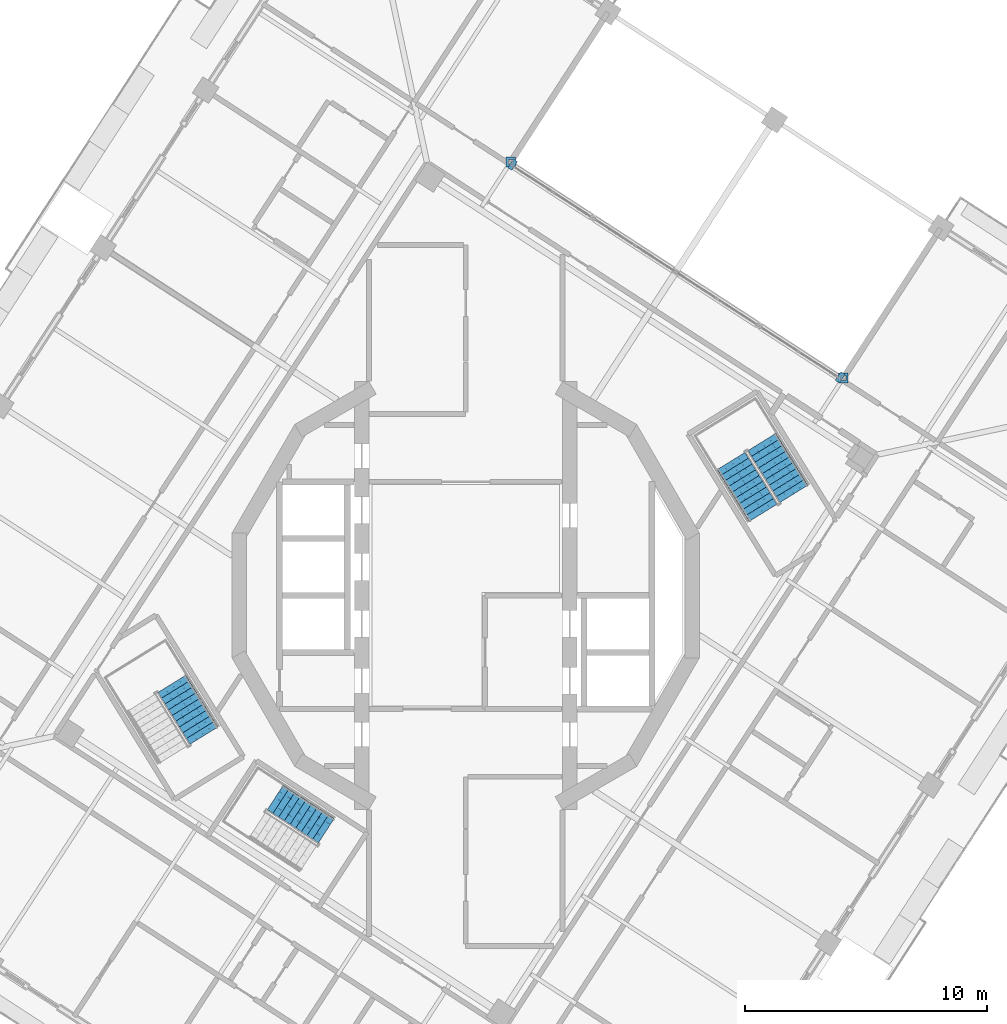
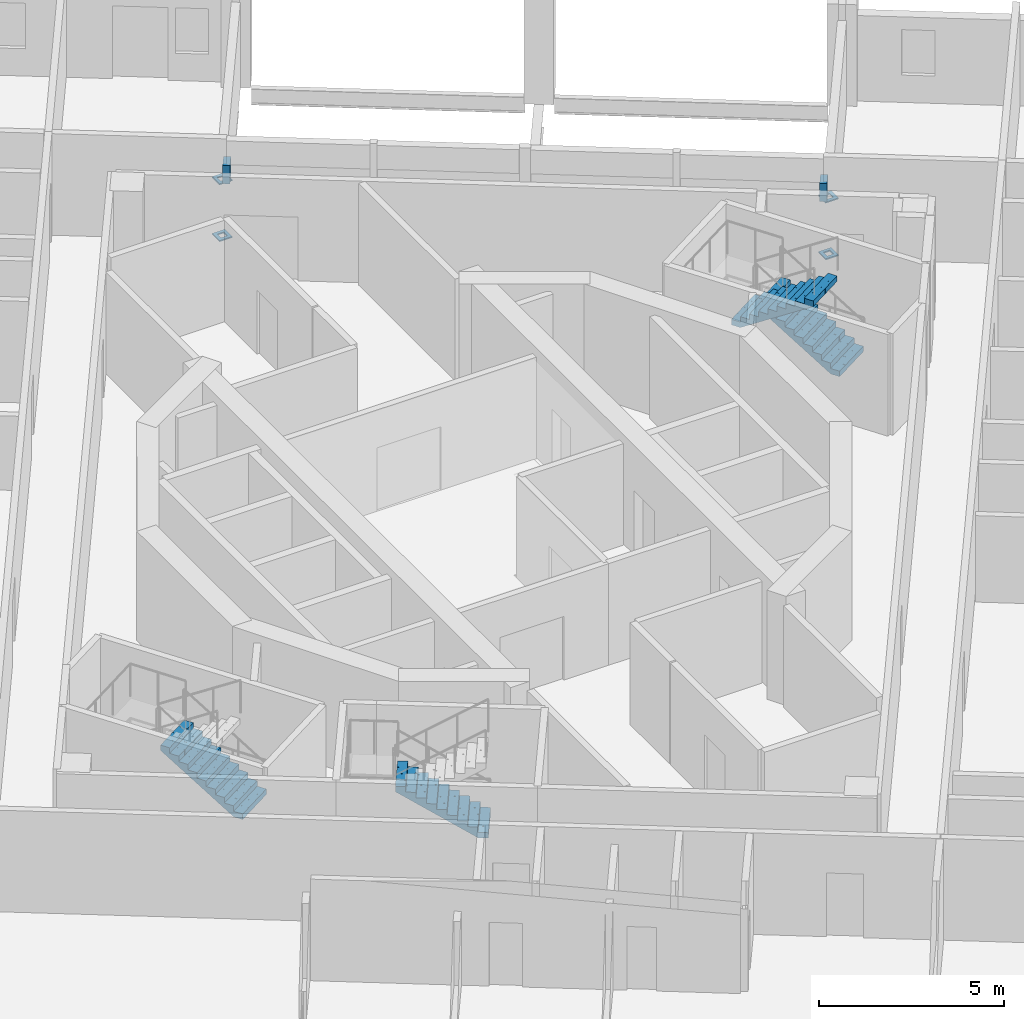
# One storey, part 12 of 17: 6 discrete accessories, 4 stair flights, 3 elements without a shape of their own.
"""IFC4 building model written with IfcOpenShell, lengths in metres."""

from ifc_helpers import new_model, si_unit, direction, frame, origin, place, context, subcontext, project, spatial, polyline, outline, extrude, material, layer, layer_set, type_object, element, aggregate, save


model = new_model("IFC4")

# Units and contexts
model_context = context("Model", 3, precision=1e-05, world=origin(), true_north=direction((0.0, 1.0)))
body_context = subcontext(model_context, "Body", "Model", "MODEL_VIEW")
ifc_project = project(units=[si_unit("LENGTHUNIT", "METRE"), si_unit("AREAUNIT", "SQUARE_METRE"), si_unit("VOLUMEUNIT", "CUBIC_METRE"), si_unit("PLANEANGLEUNIT", "RADIAN"), si_unit("MASSUNIT", "GRAM", prefix="KILO")], contexts=[model_context])

# Site, building, storey
site_placement = place(None, origin())
site = spatial("IfcSite", under=ifc_project, at=site_placement, CompositionType="ELEMENT")
building_placement = place(site_placement, origin())
building = spatial("IfcBuilding", under=site, at=building_placement, Name="Cantera Rosa Tower", CompositionType="ELEMENT")
storey_placement = place(building_placement, frame((0.0, 0.0, 279.300048828125)))
storey = spatial("IfcBuildingStorey", under=building, at=storey_placement, Name="L63", CompositionType="ELEMENT", Elevation=279.300048828125)

# Stair, stair flight
ifc_material_1 = material(Name="Concrete C35/45", Category="concrete")
stair_type_1 = type_object("IfcStairType", Name="EXIT STAIR 1200 DOGLEG", PredefinedType="HALF_TURN_STAIR", material=ifc_material_1)
stair_1_placement = place(storey_placement, origin())
stair_1 = element("IfcStair", 1, at=stair_1_placement, inside=storey, type_object=stair_type_1, Name="L63 ST-53", PredefinedType="HALF_TURN_STAIR")
ifc_material_2 = material(Name="Concrete C35/45", Category="concrete")
stair_flight_type_1 = type_object("IfcStairFlightType", Name="STAIR FLIGHT 1200 R20x180", PredefinedType="STRAIGHT", material=ifc_material_2)
stair_flight_1_placement = place(storey_placement, frame((-5.76318359375, -9.728271484375, 0.0), z_axis=(0.0, 0.0, 1.0), x_axis=(-0.838670567945, 0.544639035015, 0.0)))
stair_flight_1 = element("IfcStairFlight", 2, at=stair_flight_1_placement, type_object=stair_flight_type_1, Name="ST-53 flight 1", NumberOfRisers=10, NumberOfTreads=9, PredefinedType="STRAIGHT", RiserHeight=0.18, TreadLength=0.28, context=body_context, shape_type="SweptSolid", body=[
    extrude(outline(polyline([(0.0, 0.0), (0.0, 0.179931640625), (0.280029296875, 0.179931640625), (0.280029296875, 0.360107421875), (0.56005859375, 0.360107421875), (0.56005859375, 0.5400390625), (0.840087890625, 0.5400390625), (0.840087890625, 0.719970703125), (1.1201171875, 0.719970703125), (1.1201171875, 0.89990234375), (1.39990234375, 0.89990234375), (1.39990234375, 1.080078125), (1.679931640625, 1.080078125), (1.679931640625, 1.260009765625), (1.9599609375, 1.260009765625), (1.9599609375, 1.43994140625), (2.239990234375, 1.43994140625), (2.239990234375, 1.6201171875), (2.52001953125, 1.6201171875), (2.52001953125, 1.800048828125), (2.52001953125, 1.44189453125), (0.277099609375, 0.0), (0.0, 0.0)])), frame((0.0, 0.60009765625, 0.0), z_axis=(0.0, -1.0, 0.0), x_axis=(1.0, 0.0, 0.0)), (0.0, 0.0, 1.0), 0.298583984375),
    extrude(outline(polyline([(0.0, 0.0), (0.0, 0.179931640625), (0.280029296875, 0.179931640625), (0.280029296875, 0.360107421875), (0.56005859375, 0.360107421875), (0.56005859375, 0.5400390625), (0.840087890625, 0.5400390625), (0.840087890625, 0.719970703125), (1.1201171875, 0.719970703125), (1.1201171875, 0.89990234375), (1.39990234375, 0.89990234375), (1.39990234375, 1.080078125), (1.679931640625, 1.080078125), (1.679931640625, 1.260009765625), (1.9599609375, 1.260009765625), (1.9599609375, 1.43994140625), (2.239990234375, 1.43994140625), (2.239990234375, 1.6201171875), (2.52001953125, 1.6201171875), (2.52001953125, 1.800048828125), (2.52001953125, 1.44189453125), (0.277099609375, 0.0), (0.0, 0.0)])), frame((0.0, 0.29931640625, 0.0), z_axis=(0.0, -1.0, 0.0), x_axis=(1.0, 0.0, 0.0)), (0.0, 0.0, 1.0), 0.298583984375),
    extrude(outline(polyline([(0.0, 0.0), (0.0, 0.179931640625), (0.280029296875, 0.179931640625), (0.280029296875, 0.360107421875), (0.56005859375, 0.360107421875), (0.56005859375, 0.5400390625), (0.840087890625, 0.5400390625), (0.840087890625, 0.719970703125), (1.1201171875, 0.719970703125), (1.1201171875, 0.89990234375), (1.39990234375, 0.89990234375), (1.39990234375, 1.080078125), (1.679931640625, 1.080078125), (1.679931640625, 1.260009765625), (1.9599609375, 1.260009765625), (1.9599609375, 1.43994140625), (2.239990234375, 1.43994140625), (2.239990234375, 1.6201171875), (2.52001953125, 1.6201171875), (2.52001953125, 1.800048828125), (2.52001953125, 1.44189453125), (0.277099609375, 0.0), (0.0, 0.0)])), frame((0.0, -0.0009765625, 0.0), z_axis=(0.0, -1.0, 0.0), x_axis=(1.0, 0.0, 0.0)), (0.0, 0.0, 1.0), 0.298583984375),
    extrude(outline(polyline([(0.0, 0.0), (0.0, 0.179931640625), (0.280029296875, 0.179931640625), (0.280029296875, 0.360107421875), (0.56005859375, 0.360107421875), (0.56005859375, 0.5400390625), (0.840087890625, 0.5400390625), (0.840087890625, 0.719970703125), (1.1201171875, 0.719970703125), (1.1201171875, 0.89990234375), (1.39990234375, 0.89990234375), (1.39990234375, 1.080078125), (1.679931640625, 1.080078125), (1.679931640625, 1.260009765625), (1.9599609375, 1.260009765625), (1.9599609375, 1.43994140625), (2.239990234375, 1.43994140625), (2.239990234375, 1.6201171875), (2.52001953125, 1.6201171875), (2.52001953125, 1.800048828125), (2.52001953125, 1.44189453125), (0.277099609375, 0.0), (0.0, 0.0)])), frame((0.0, -0.3017578125, 0.0), z_axis=(0.0, -1.0, 0.0), x_axis=(1.0, 0.0, 0.0)), (0.0, 0.0, 1.0), 0.298583984375),
])
aggregate(stair_1, [stair_flight_1])

# Stair, stair flights
ifc_material_3 = material(Name="Concrete C35/45", Category="concrete")
stair_type_2 = type_object("IfcStairType", Name="EXIT STAIR 1350 DOGLEG", PredefinedType="HALF_TURN_STAIR", material=ifc_material_3)
stair_2_placement = place(storey_placement, origin())
stair_2 = element("IfcStair", 3, at=stair_2_placement, inside=storey, type_object=stair_type_2, Name="L63 ST-51", PredefinedType="HALF_TURN_STAIR")
ifc_material_4 = material(Name="Concrete C35/45", Category="concrete")
stair_flight_type_2 = type_object("IfcStairFlightType", Name="STAIR FLIGHT 1350 R20x180", PredefinedType="STRAIGHT", material=ifc_material_4)
stair_flight_2_placement = place(storey_placement, frame((13.5732421875, 4.2021484375, 0.0), z_axis=(0.0, 0.0, 1.0), x_axis=(-0.524976585286, 0.851116669383, 0.0)))
stair_flight_2 = element("IfcStairFlight", 4, at=stair_flight_2_placement, type_object=stair_flight_type_2, Name="ST-51 flight 1", NumberOfRisers=10, NumberOfTreads=9, PredefinedType="STRAIGHT", RiserHeight=0.18, TreadLength=0.28, context=body_context, shape_type="SweptSolid", body=[
    extrude(outline(polyline([(0.0, 0.0), (0.0, 0.179931640625), (0.280029296875, 0.179931640625), (0.280029296875, 0.360107421875), (0.56005859375, 0.360107421875), (0.56005859375, 0.5400390625), (0.840087890625, 0.5400390625), (0.840087890625, 0.719970703125), (1.1201171875, 0.719970703125), (1.1201171875, 0.89990234375), (1.39990234375, 0.89990234375), (1.39990234375, 1.080078125), (1.679931640625, 1.080078125), (1.679931640625, 1.260009765625), (1.9599609375, 1.260009765625), (1.9599609375, 1.43994140625), (2.239990234375, 1.43994140625), (2.239990234375, 1.6201171875), (2.52001953125, 1.6201171875), (2.52001953125, 1.800048828125), (2.52001953125, 1.44189453125), (0.277099609375, 0.0), (0.0, 0.0)])), frame((0.0, 0.675048828125, 0.0), z_axis=(0.0, -1.0, 0.0), x_axis=(1.0, 0.0, 0.0)), (0.0, 0.0, 1.0), 0.3359375),
    extrude(outline(polyline([(0.0, 0.0), (0.0, 0.179931640625), (0.280029296875, 0.179931640625), (0.280029296875, 0.360107421875), (0.56005859375, 0.360107421875), (0.56005859375, 0.5400390625), (0.840087890625, 0.5400390625), (0.840087890625, 0.719970703125), (1.1201171875, 0.719970703125), (1.1201171875, 0.89990234375), (1.39990234375, 0.89990234375), (1.39990234375, 1.080078125), (1.679931640625, 1.080078125), (1.679931640625, 1.260009765625), (1.9599609375, 1.260009765625), (1.9599609375, 1.43994140625), (2.239990234375, 1.43994140625), (2.239990234375, 1.6201171875), (2.52001953125, 1.6201171875), (2.52001953125, 1.800048828125), (2.52001953125, 1.44189453125), (0.277099609375, 0.0), (0.0, 0.0)])), frame((0.0, 0.337158203125, 0.0), z_axis=(0.0, -1.0, 0.0), x_axis=(1.0, 0.0, 0.0)), (0.0, 0.0, 1.0), 0.3359375),
    extrude(outline(polyline([(0.0, 0.0), (0.0, 0.179931640625), (0.280029296875, 0.179931640625), (0.280029296875, 0.360107421875), (0.56005859375, 0.360107421875), (0.56005859375, 0.5400390625), (0.840087890625, 0.5400390625), (0.840087890625, 0.719970703125), (1.1201171875, 0.719970703125), (1.1201171875, 0.89990234375), (1.39990234375, 0.89990234375), (1.39990234375, 1.080078125), (1.679931640625, 1.080078125), (1.679931640625, 1.260009765625), (1.9599609375, 1.260009765625), (1.9599609375, 1.43994140625), (2.239990234375, 1.43994140625), (2.239990234375, 1.6201171875), (2.52001953125, 1.6201171875), (2.52001953125, 1.800048828125), (2.52001953125, 1.44189453125), (0.277099609375, 0.0), (0.0, 0.0)])), frame((0.0, -0.000732421875, 0.0), z_axis=(0.0, -1.0, 0.0), x_axis=(1.0, 0.0, 0.0)), (0.0, 0.0, 1.0), 0.3359375),
    extrude(outline(polyline([(0.0, 0.0), (0.0, 0.179931640625), (0.280029296875, 0.179931640625), (0.280029296875, 0.360107421875), (0.56005859375, 0.360107421875), (0.56005859375, 0.5400390625), (0.840087890625, 0.5400390625), (0.840087890625, 0.719970703125), (1.1201171875, 0.719970703125), (1.1201171875, 0.89990234375), (1.39990234375, 0.89990234375), (1.39990234375, 1.080078125), (1.679931640625, 1.080078125), (1.679931640625, 1.260009765625), (1.9599609375, 1.260009765625), (1.9599609375, 1.43994140625), (2.239990234375, 1.43994140625), (2.239990234375, 1.6201171875), (2.52001953125, 1.6201171875), (2.52001953125, 1.800048828125), (2.52001953125, 1.44189453125), (0.277099609375, 0.0), (0.0, 0.0)])), frame((0.0, -0.338623046875, 0.0), z_axis=(0.0, -1.0, 0.0), x_axis=(1.0, 0.0, 0.0)), (0.0, 0.0, 1.0), 0.3359375),
])
stair_flight_3_placement = place(storey_placement, frame((10.9736328125, 5.5595703125, 1.800048828125), z_axis=(0.0, 0.0, 1.0), x_axis=(0.524976585286, -0.851116669383, 0.0)))
stair_flight_3 = element("IfcStairFlight", 5, at=stair_flight_3_placement, type_object=stair_flight_type_2, Name="ST-51 flight 2", NumberOfRisers=10, NumberOfTreads=9, PredefinedType="STRAIGHT", RiserHeight=0.18, TreadLength=0.28, context=body_context, shape_type="SweptSolid", body=[
    extrude(outline(polyline([(0.0, 0.0), (0.0, 0.179931640625), (0.280029296875, 0.179931640625), (0.280029296875, 0.360107421875), (0.56005859375, 0.360107421875), (0.56005859375, 0.5400390625), (0.840087890625, 0.5400390625), (0.840087890625, 0.719970703125), (1.1201171875, 0.719970703125), (1.1201171875, 0.89990234375), (1.39990234375, 0.89990234375), (1.39990234375, 1.080078125), (1.679931640625, 1.080078125), (1.679931640625, 1.260009765625), (1.9599609375, 1.260009765625), (1.9599609375, 1.43994140625), (2.239990234375, 1.43994140625), (2.239990234375, 1.6201171875), (2.52001953125, 1.6201171875), (2.52001953125, 1.800048828125), (2.52001953125, 1.44189453125), (0.277099609375, 0.0), (0.0, 0.0)])), frame((0.0, 0.675048828125, 0.0), z_axis=(0.0, -1.0, 0.0), x_axis=(1.0, 0.0, 0.0)), (0.0, 0.0, 1.0), 0.3359375),
    extrude(outline(polyline([(0.0, 0.0), (0.0, 0.179931640625), (0.280029296875, 0.179931640625), (0.280029296875, 0.360107421875), (0.56005859375, 0.360107421875), (0.56005859375, 0.5400390625), (0.840087890625, 0.5400390625), (0.840087890625, 0.719970703125), (1.1201171875, 0.719970703125), (1.1201171875, 0.89990234375), (1.39990234375, 0.89990234375), (1.39990234375, 1.080078125), (1.679931640625, 1.080078125), (1.679931640625, 1.260009765625), (1.9599609375, 1.260009765625), (1.9599609375, 1.43994140625), (2.239990234375, 1.43994140625), (2.239990234375, 1.6201171875), (2.52001953125, 1.6201171875), (2.52001953125, 1.800048828125), (2.52001953125, 1.44189453125), (0.277099609375, 0.0), (0.0, 0.0)])), frame((0.0, 0.337158203125, 0.0), z_axis=(0.0, -1.0, 0.0), x_axis=(1.0, 0.0, 0.0)), (0.0, 0.0, 1.0), 0.3359375),
    extrude(outline(polyline([(0.0, 0.0), (0.0, 0.179931640625), (0.280029296875, 0.179931640625), (0.280029296875, 0.360107421875), (0.56005859375, 0.360107421875), (0.56005859375, 0.5400390625), (0.840087890625, 0.5400390625), (0.840087890625, 0.719970703125), (1.1201171875, 0.719970703125), (1.1201171875, 0.89990234375), (1.39990234375, 0.89990234375), (1.39990234375, 1.080078125), (1.679931640625, 1.080078125), (1.679931640625, 1.260009765625), (1.9599609375, 1.260009765625), (1.9599609375, 1.43994140625), (2.239990234375, 1.43994140625), (2.239990234375, 1.6201171875), (2.52001953125, 1.6201171875), (2.52001953125, 1.800048828125), (2.52001953125, 1.44189453125), (0.277099609375, 0.0), (0.0, 0.0)])), frame((0.0, -0.000732421875, 0.0), z_axis=(0.0, -1.0, 0.0), x_axis=(1.0, 0.0, 0.0)), (0.0, 0.0, 1.0), 0.3359375),
    extrude(outline(polyline([(0.0, 0.0), (0.0, 0.179931640625), (0.280029296875, 0.179931640625), (0.280029296875, 0.360107421875), (0.56005859375, 0.360107421875), (0.56005859375, 0.5400390625), (0.840087890625, 0.5400390625), (0.840087890625, 0.719970703125), (1.1201171875, 0.719970703125), (1.1201171875, 0.89990234375), (1.39990234375, 0.89990234375), (1.39990234375, 1.080078125), (1.679931640625, 1.080078125), (1.679931640625, 1.260009765625), (1.9599609375, 1.260009765625), (1.9599609375, 1.43994140625), (2.239990234375, 1.43994140625), (2.239990234375, 1.6201171875), (2.52001953125, 1.6201171875), (2.52001953125, 1.800048828125), (2.52001953125, 1.44189453125), (0.277099609375, 0.0), (0.0, 0.0)])), frame((0.0, -0.338623046875, 0.0), z_axis=(0.0, -1.0, 0.0), x_axis=(1.0, 0.0, 0.0)), (0.0, 0.0, 1.0), 0.3359375),
])
aggregate(stair_2, [stair_flight_2, stair_flight_3])

# Stair, stair flight
stair_3_placement = place(storey_placement, origin())
stair_3 = element("IfcStair", 6, at=stair_3_placement, inside=storey, type_object=stair_type_2, Name="L63 ST-52", PredefinedType="HALF_TURN_STAIR")
stair_flight_4_placement = place(storey_placement, frame((-10.82666015625, -5.7978515625, 0.0), z_axis=(0.0, 0.0, 1.0), x_axis=(-0.524976585286, 0.851116669383, 0.0)))
stair_flight_4 = element("IfcStairFlight", 7, at=stair_flight_4_placement, type_object=stair_flight_type_2, Name="ST-52 flight 1", NumberOfRisers=10, NumberOfTreads=9, PredefinedType="STRAIGHT", RiserHeight=0.18, TreadLength=0.28, context=body_context, shape_type="SweptSolid", body=[
    extrude(outline(polyline([(0.0, 0.0), (0.0, 0.179931640625), (0.280029296875, 0.179931640625), (0.280029296875, 0.360107421875), (0.56005859375, 0.360107421875), (0.56005859375, 0.5400390625), (0.840087890625, 0.5400390625), (0.840087890625, 0.719970703125), (1.1201171875, 0.719970703125), (1.1201171875, 0.89990234375), (1.39990234375, 0.89990234375), (1.39990234375, 1.080078125), (1.679931640625, 1.080078125), (1.679931640625, 1.260009765625), (1.9599609375, 1.260009765625), (1.9599609375, 1.43994140625), (2.239990234375, 1.43994140625), (2.239990234375, 1.6201171875), (2.52001953125, 1.6201171875), (2.52001953125, 1.800048828125), (2.52001953125, 1.44189453125), (0.277099609375, 0.0), (0.0, 0.0)])), frame((0.0, 0.675048828125, 0.0), z_axis=(0.0, -1.0, 0.0), x_axis=(1.0, 0.0, 0.0)), (0.0, 0.0, 1.0), 0.3359375),
    extrude(outline(polyline([(0.0, 0.0), (0.0, 0.179931640625), (0.280029296875, 0.179931640625), (0.280029296875, 0.360107421875), (0.56005859375, 0.360107421875), (0.56005859375, 0.5400390625), (0.840087890625, 0.5400390625), (0.840087890625, 0.719970703125), (1.1201171875, 0.719970703125), (1.1201171875, 0.89990234375), (1.39990234375, 0.89990234375), (1.39990234375, 1.080078125), (1.679931640625, 1.080078125), (1.679931640625, 1.260009765625), (1.9599609375, 1.260009765625), (1.9599609375, 1.43994140625), (2.239990234375, 1.43994140625), (2.239990234375, 1.6201171875), (2.52001953125, 1.6201171875), (2.52001953125, 1.800048828125), (2.52001953125, 1.44189453125), (0.277099609375, 0.0), (0.0, 0.0)])), frame((0.0, 0.337158203125, 0.0), z_axis=(0.0, -1.0, 0.0), x_axis=(1.0, 0.0, 0.0)), (0.0, 0.0, 1.0), 0.3359375),
    extrude(outline(polyline([(0.0, 0.0), (0.0, 0.179931640625), (0.280029296875, 0.179931640625), (0.280029296875, 0.360107421875), (0.56005859375, 0.360107421875), (0.56005859375, 0.5400390625), (0.840087890625, 0.5400390625), (0.840087890625, 0.719970703125), (1.1201171875, 0.719970703125), (1.1201171875, 0.89990234375), (1.39990234375, 0.89990234375), (1.39990234375, 1.080078125), (1.679931640625, 1.080078125), (1.679931640625, 1.260009765625), (1.9599609375, 1.260009765625), (1.9599609375, 1.43994140625), (2.239990234375, 1.43994140625), (2.239990234375, 1.6201171875), (2.52001953125, 1.6201171875), (2.52001953125, 1.800048828125), (2.52001953125, 1.44189453125), (0.277099609375, 0.0), (0.0, 0.0)])), frame((0.0, -0.000732421875, 0.0), z_axis=(0.0, -1.0, 0.0), x_axis=(1.0, 0.0, 0.0)), (0.0, 0.0, 1.0), 0.3359375),
    extrude(outline(polyline([(0.0, 0.0), (0.0, 0.179931640625), (0.280029296875, 0.179931640625), (0.280029296875, 0.360107421875), (0.56005859375, 0.360107421875), (0.56005859375, 0.5400390625), (0.840087890625, 0.5400390625), (0.840087890625, 0.719970703125), (1.1201171875, 0.719970703125), (1.1201171875, 0.89990234375), (1.39990234375, 0.89990234375), (1.39990234375, 1.080078125), (1.679931640625, 1.080078125), (1.679931640625, 1.260009765625), (1.9599609375, 1.260009765625), (1.9599609375, 1.43994140625), (2.239990234375, 1.43994140625), (2.239990234375, 1.6201171875), (2.52001953125, 1.6201171875), (2.52001953125, 1.800048828125), (2.52001953125, 1.44189453125), (0.277099609375, 0.0), (0.0, 0.0)])), frame((0.0, -0.338623046875, 0.0), z_axis=(0.0, -1.0, 0.0), x_axis=(1.0, 0.0, 0.0)), (0.0, 0.0, 1.0), 0.3359375),
])
aggregate(stair_3, [stair_flight_4])

# Discrete accessories
ifc_material_5 = material(Name="Steel ASTM A992 (Fy 345 MPa)", Category="steel")
ifc_layer = layer(ifc_material_5, 0.0400390625)
ifc_layer_set = layer_set([ifc_layer], Name="STEEL BEARING PLATE 40")
discrete_accessory_type = type_object("IfcDiscreteAccessoryType", Name="STEEL BEARING PLATE 40", PredefinedType="ANCHORPLATE", material=ifc_layer_set)
for number, where, name in (
    (8, (0.0, 0.0, 0.0), "POST PLATE L63-1F"),
    (9, (0.0, 0.0, 1.8740234375), "POST PLATE L63-1T"),
):
    element("IfcDiscreteAccessory", number, at=place(storey_placement, frame(where)), inside=storey, type_object=discrete_accessory_type, Name=name, PredefinedType="ANCHORPLATE", context=body_context, shape_type="SweptSolid", body=[
        extrude(outline(polyline([(15.418701171875, 8.794677734375), (15.818603515625, 8.794677734375), (15.818603515625, 9.194580078125), (15.418701171875, 9.194580078125), (15.418701171875, 8.794677734375)]), holes=[polyline([(15.5185546875, 8.89453125), (15.718505859375, 8.89453125), (15.718505859375, 9.094482421875), (15.5185546875, 9.094482421875), (15.5185546875, 8.89453125)])]), origin(), (0.0, 0.0, 1.0), 0.0400390625),
    ])
for number, where, name in (
    (10, (0.0, 0.0, 0.0), "POST PLATE L63-2F"),
    (11, (0.0, 0.0, 1.8740234375), "POST PLATE L63-2T"),
):
    element("IfcDiscreteAccessory", number, at=place(storey_placement, frame(where)), inside=storey, type_object=discrete_accessory_type, Name=name, PredefinedType="ANCHORPLATE", context=body_context, shape_type="SweptSolid", body=[
        extrude(outline(polyline([(1.664306640625, 17.726806640625), (2.064453125, 17.726806640625), (2.064453125, 18.126708984375), (1.664306640625, 18.126708984375), (1.664306640625, 17.726806640625)]), holes=[polyline([(1.764404296875, 17.82666015625), (1.96435546875, 17.82666015625), (1.96435546875, 18.026611328125), (1.764404296875, 18.026611328125), (1.764404296875, 17.82666015625)])]), origin(), (0.0, 0.0, 1.0), 0.0400390625),
    ])
discrete_accessory_1_placement = place(storey_placement, frame((0.0, 0.0, 1.9140625)))
element("IfcDiscreteAccessory", 12, at=discrete_accessory_1_placement, inside=storey, type_object=discrete_accessory_type, Name="LINTEL PLATE L63-1", PredefinedType="ANCHORPLATE", context=body_context, shape_type="SweptSolid", body=[
    extrude(outline(polyline([(15.2861328125, 8.895751953125), (15.453857421875, 8.786865234375), (15.68701171875, 9.145751953125), (15.519287109375, 9.254638671875), (15.2861328125, 8.895751953125)])), origin(), (0.0, 0.0, 1.0), 0.601806640625),
])
discrete_accessory_2_placement = place(storey_placement, frame((0.0, 0.0, 1.9140625)))
element("IfcDiscreteAccessory", 13, at=discrete_accessory_2_placement, inside=storey, type_object=discrete_accessory_type, Name="LINTEL PLATE L63-2", PredefinedType="ANCHORPLATE", context=body_context, shape_type="SweptSolid", body=[
    extrude(outline(polyline([(2.142333984375, 17.941650390625), (1.974609375, 18.050537109375), (1.741455078125, 17.691650390625), (1.9091796875, 17.582763671875), (2.142333984375, 17.941650390625)])), origin(), (0.0, 0.0, 1.0), 0.601806640625),
])

save(model, "model.ifc")
